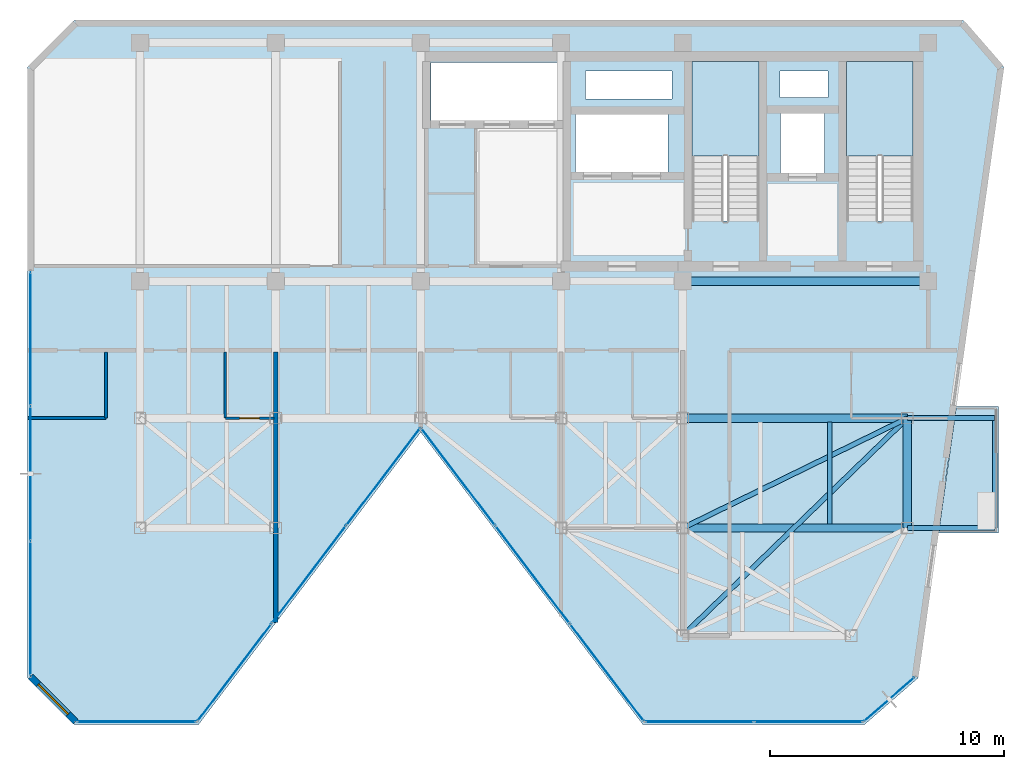
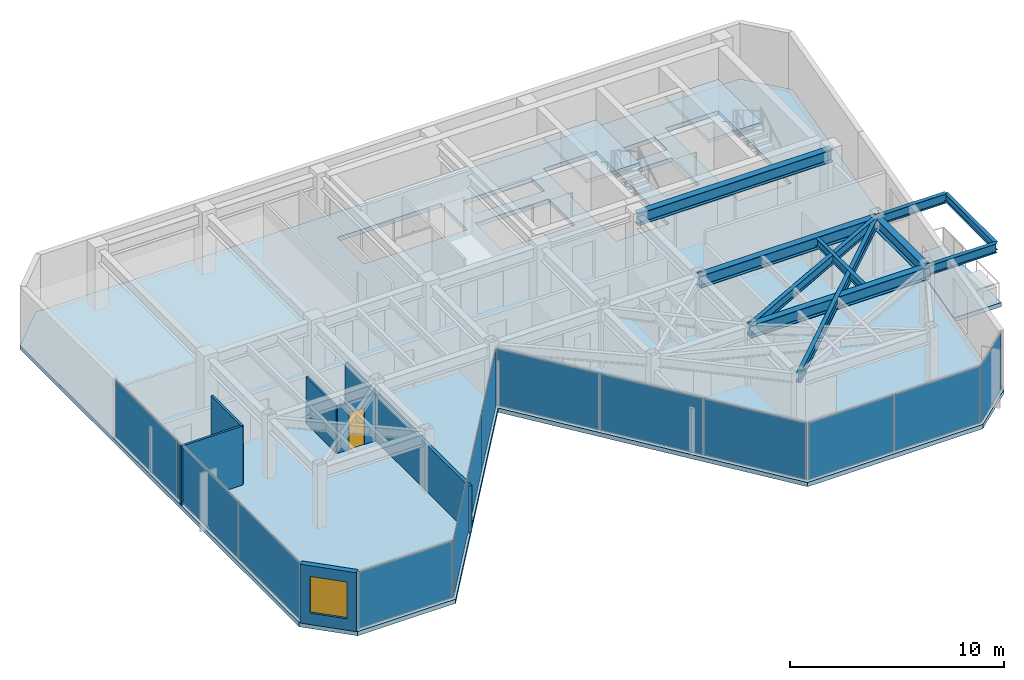
# One storey, part 14 of 19: 13 plates, 10 beams, 6 walls, 4 slabs, 1 door, 1 window, 2 openings, 8 elements without a shape of their own.
"""IFC4 building model written with IfcOpenShell, lengths in metres."""

from ifc_helpers import new_model, si_unit, direction, frame, frame_2d, origin, origin_2d, place, context, subcontext, project, spatial, polyline, rectangle, i_section, outline, extrude, material, layer, layer_set, material_profile, profile_set, type_object, element, fill, aggregate, save


model = new_model("IFC4")

# Units and contexts
model_context = context("Model", 3, precision=1e-05, world=origin(), true_north=direction((0.0, 1.0)))
body_context = subcontext(model_context, "Body", "Model", "MODEL_VIEW")
ifc_project = project(units=[si_unit("LENGTHUNIT", "METRE"), si_unit("AREAUNIT", "SQUARE_METRE"), si_unit("VOLUMEUNIT", "CUBIC_METRE"), si_unit("PLANEANGLEUNIT", "RADIAN"), si_unit("MASSUNIT", "GRAM", prefix="KILO")], contexts=[model_context])

# Site, building, storey
site_placement = place(None, origin())
site = spatial("IfcSite", under=ifc_project, at=site_placement, CompositionType="ELEMENT")
building_placement = place(site_placement, origin())
building = spatial("IfcBuilding", under=site, at=building_placement, Name="Kravanh Interchange Tower", CompositionType="ELEMENT")
storey_placement = place(building_placement, frame((0.0, 0.0, 267.0)))
storey = spatial("IfcBuildingStorey", under=building, at=storey_placement, Name="L65", CompositionType="ELEMENT", Elevation=267.0)

# Beams
ifc_material_1 = material(Name="Structural Steel S355", Category="steel")
ifc_material_profile_1 = material_profile(ifc_material_1, i_section(OverallWidth=0.35498046875, OverallDepth=0.696044921875, WebThickness=0.015380859375, FlangeThickness=0.02490234375, FilletRadius=0.02392578125, at=origin_2d()), Name="W27X146")
ifc_profile_set_1 = profile_set([ifc_material_profile_1], Name="Structural Steel S355")
beam_type_1 = type_object("IfcBeamType", Name="Floor Beam W27X146 Structural Steel S355", PredefinedType="BEAM", material=ifc_profile_set_1)
beam_1_placement = place(storey_placement, frame((56.0, 31.5, 3.011962890625), z_axis=(1.0, 0.0, 0.0), x_axis=(0.0, 1.0, 0.0)))
element("IfcBeam", 1, at=beam_1_placement, inside=storey, type_object=beam_type_1, Name="L65 Primary Floor Girder 12", PredefinedType="BEAM", context=body_context, shape_type="SweptSolid", body=[
    extrude(i_section(OverallWidth=0.35498046875, OverallDepth=0.696044921875, WebThickness=0.015380859375, FlangeThickness=0.02490234375, FilletRadius=0.02392578125, at=origin_2d()), origin(), (0.0, 0.0, 1.0), 9.60009765625),
])
beam_2_placement = place(storey_placement, frame((65.60009765625, 31.5, 3.011962890625), z_axis=(0.0, -1.0, 0.0), x_axis=(1.0, 0.0, 0.0)))
element("IfcBeam", 2, at=beam_2_placement, inside=storey, type_object=beam_type_1, Name="L65 Primary Floor Girder 13", PredefinedType="BEAM", context=body_context, shape_type="SweptSolid", body=[
    extrude(i_section(OverallWidth=0.35498046875, OverallDepth=0.696044921875, WebThickness=0.015380859375, FlangeThickness=0.02490234375, FilletRadius=0.02392578125, at=origin_2d()), origin(), (0.0, 0.0, 1.0), 4.699951171875),
])
beam_3_placement = place(storey_placement, frame((56.0, 26.800048828125, 3.011962890625), z_axis=(1.0, 0.0, 0.0), x_axis=(0.0, 1.0, 0.0)))
element("IfcBeam", 3, at=beam_3_placement, inside=storey, type_object=beam_type_1, Name="L65 Primary Floor Girder 30", PredefinedType="BEAM", context=body_context, shape_type="SweptSolid", body=[
    extrude(i_section(OverallWidth=0.35498046875, OverallDepth=0.696044921875, WebThickness=0.015380859375, FlangeThickness=0.02490234375, FilletRadius=0.02392578125, at=origin_2d()), origin(), (0.0, 0.0, 1.0), 9.60009765625),
])
beam_4_placement = place(storey_placement, frame((66.5, 37.35009765625, 3.011962890625), z_axis=(-1.0, 0.0, 0.0), x_axis=(0.0, -1.0, 0.0)))
element("IfcBeam", 4, at=beam_4_placement, inside=storey, type_object=beam_type_1, Name="L65 Primary Floor Girder 38", PredefinedType="BEAM", context=body_context, shape_type="SweptSolid", body=[
    extrude(i_section(OverallWidth=0.35498046875, OverallDepth=0.696044921875, WebThickness=0.015380859375, FlangeThickness=0.02490234375, FilletRadius=0.02392578125, at=origin_2d()), origin(), (0.0, 0.0, 1.0), 10.5),
])
ifc_material_2 = material(Name="Structural Steel S355", Category="steel")
ifc_material_profile_2 = material_profile(ifc_material_2, i_section(OverallWidth=0.18994140625, OverallDepth=0.45703125, WebThickness=0.009033203125, FlangeThickness=0.014404296875, FilletRadius=0.01806640625, at=origin_2d()), Name="W18X50")
ifc_profile_set_2 = profile_set([ifc_material_profile_2], Name="Structural Steel S355")
beam_type_2 = type_object("IfcBeamType", Name="Floor Joist W18X50 Structural Steel S355", PredefinedType="JOIST", material=ifc_profile_set_2)
beam_5_placement = place(storey_placement, frame((62.2939453125, 26.972412109375, 3.131591796875), z_axis=(0.0, 1.0, 0.0), x_axis=(-1.0, 0.0, 0.0)))
element("IfcBeam", 5, at=beam_5_placement, inside=storey, type_object=beam_type_2, Name="L65 Secondary Floor Joist 8", PredefinedType="JOIST", context=body_context, shape_type="SweptSolid", body=[
    extrude(i_section(OverallWidth=0.18994140625, OverallDepth=0.45703125, WebThickness=0.009033203125, FlangeThickness=0.014404296875, FilletRadius=0.01806640625, at=origin_2d()), origin(), (0.0, 0.0, 1.0), 4.35498046875),
])
beam_6_placement = place(storey_placement, frame((69.330078125, 26.800048828125, 3.131591796875), z_axis=(0.0, 1.0, 0.0), x_axis=(-1.0, 0.0, 0.0)))
element("IfcBeam", 6, at=beam_6_placement, inside=storey, type_object=beam_type_2, Name="L65 Balcony Edge Tie Beam E", PredefinedType="JOIST", context=body_context, shape_type="SweptSolid", body=[
    extrude(i_section(OverallWidth=0.18994140625, OverallDepth=0.45703125, WebThickness=0.009033203125, FlangeThickness=0.014404296875, FilletRadius=0.01806640625, at=origin_2d()), origin(), (0.0, 0.0, 1.0), 4.699951171875),
])
ifc_material_3 = material(Name="Structural Steel S355", Category="steel")
ifc_material_profile_3 = material_profile(ifc_material_3, i_section(OverallWidth=0.2099609375, OverallDepth=0.537109375, WebThickness=0.010986328125, FlangeThickness=0.017333984375, FilletRadius=0.02001953125, at=origin_2d()), Name="W21X68")
ifc_profile_set_3 = profile_set([ifc_material_profile_3], Name="Structural Steel S355")
beam_type_3 = type_object("IfcBeamType", Name="Floor Spandrel W21X68 Structural Steel S355", PredefinedType="SPANDREL", material=ifc_profile_set_3)
beam_7_placement = place(storey_placement, frame((65.60009765625, 31.5, 3.091552734375), z_axis=(-0.898141688387, -0.439706160499, 0.0), x_axis=(0.439706160499, -0.898141688387, 0.0)))
element("IfcBeam", 7, at=beam_7_placement, inside=storey, type_object=beam_type_3, Name="L65 Perimeter Spandrel 15", PredefinedType="SPANDREL", context=body_context, shape_type="SweptSolid", body=[
    extrude(i_section(OverallWidth=0.2099609375, OverallDepth=0.537109375, WebThickness=0.010986328125, FlangeThickness=0.017333984375, FilletRadius=0.02001953125, at=origin_2d()), origin(), (0.0, 0.0, 1.0), 10.68896484375),
])
beam_8_placement = place(storey_placement, frame((65.60009765625, 31.5, 3.091552734375), z_axis=(-0.718241934329, -0.695793449072, 0.0), x_axis=(0.695793449072, -0.718241934329, 0.0)))
element("IfcBeam", 8, at=beam_8_placement, inside=storey, type_object=beam_type_3, Name="L65 Perimeter Spandrel 16", PredefinedType="SPANDREL", context=body_context, shape_type="SweptSolid", body=[
    extrude(i_section(OverallWidth=0.2099609375, OverallDepth=0.537109375, WebThickness=0.010986328125, FlangeThickness=0.017333984375, FilletRadius=0.02001953125, at=origin_2d()), origin(), (0.0, 0.0, 1.0), 13.3662109375),
])
for number, where, z_axis, x_axis, name in (
    (9, (65.60009765625, 26.800048828125, 3.091552734375), (1.0, 0.0, 0.0), (0.0, 1.0, 0.0), "L65 Balcony Cantilever Outrigger E1"),
    (10, (65.60009765625, 31.5, 3.091552734375), (1.0, 0.0, 0.0), (0.0, 1.0, 0.0), "L65 Balcony Cantilever Outrigger E2"),
):
    element("IfcBeam", number, at=place(storey_placement, frame(where, z_axis=z_axis, x_axis=x_axis)), inside=storey, type_object=beam_type_3, Name=name, PredefinedType="SPANDREL", context=body_context, shape_type="SweptSolid", body=[
        extrude(i_section(OverallWidth=0.2099609375, OverallDepth=0.537109375, WebThickness=0.010986328125, FlangeThickness=0.017333984375, FilletRadius=0.02001953125, at=origin_2d()), origin(), (0.0, 0.0, 1.0), 3.72998046875),
    ])

# Curtain wall, plates
ifc_material_4 = material(Name="Anodised Bronze Aluminium", Category="aluminium")
ifc_layer_1 = layer(ifc_material_4, 0.179931640625)
ifc_layer_set_1 = layer_set([ifc_layer_1], Name="Unitised Curtain Wall System CW-HTL Luxury Hotel")
curtain_wall_type = type_object("IfcCurtainWallType", Name="Unitised Curtain Wall System CW-HTL Luxury Hotel", PredefinedType="NOTDEFINED", material=ifc_layer_set_1)
curtain_wall_1_placement = place(storey_placement, origin())
curtain_wall_1 = element("IfcCurtainWall", 11, at=curtain_wall_1_placement, inside=storey, type_object=curtain_wall_type, Name="L65 Unitised Curtain Wall CW-L65-01", PredefinedType="NOTDEFINED")
ifc_material_5 = material(Name="Low-E Laminated Architectural Glass", Category="glass")
ifc_layer_2 = layer(ifc_material_5, 0.030029296875)
ifc_layer_set_2 = layer_set([ifc_layer_2], Name="Acoustic Laminated Glazing 30mm")
plate_type = type_object("IfcPlateType", Name="Acoustic Laminated Glazing 30mm", PredefinedType="CURTAIN_PANEL", material=ifc_layer_set_2)
plate_1_placement = place(storey_placement, frame((28.1201171875, 23.3564453125, 0.06005859375), z_axis=(0.0, 0.0, 1.0), x_axis=(0.0, 1.0, 0.0)))
plate_1 = element("IfcPlate", 12, at=plate_1_placement, type_object=plate_type, Name="CW-HTL panel 1.1", PredefinedType="CURTAIN_PANEL", context=body_context, shape_type="SweptSolid", body=[
    extrude(rectangle(XDim=5.693359375, YDim=0.030029296875, at=origin_2d()), origin(), (0.0, 0.0, 1.0), 3.239990234375),
])
plate_2_placement = place(storey_placement, frame((28.1201171875, 29.124755859375, 0.06005859375), z_axis=(0.0, 0.0, 1.0), x_axis=(0.0, 1.0, 0.0)))
plate_2 = element("IfcPlate", 13, at=plate_2_placement, type_object=plate_type, Name="CW-HTL panel 2.1", PredefinedType="CURTAIN_PANEL", context=body_context, shape_type="SweptSolid", body=[
    extrude(rectangle(XDim=5.723388671875, YDim=0.030029296875, at=origin_2d()), origin(), (0.0, 0.0, 1.0), 3.239990234375),
])
plate_3_placement = place(storey_placement, frame((28.1201171875, 34.893310546875, 0.06005859375), z_axis=(0.0, 0.0, 1.0), x_axis=(0.0, 1.0, 0.0)))
plate_3 = element("IfcPlate", 14, at=plate_3_placement, type_object=plate_type, Name="CW-HTL panel 3.1", PredefinedType="CURTAIN_PANEL", context=body_context, shape_type="SweptSolid", body=[
    extrude(rectangle(XDim=5.693359375, YDim=0.030029296875, at=origin_2d()), origin(), (0.0, 0.0, 1.0), 3.239990234375),
])
aggregate(curtain_wall_1, [plate_1, plate_2, plate_3])

# Curtain wall, plate
curtain_wall_2_placement = place(storey_placement, origin())
curtain_wall_2 = element("IfcCurtainWall", 15, at=curtain_wall_2_placement, inside=storey, type_object=curtain_wall_type, Name="L65 Unitised Curtain Wall CW-L65-02", PredefinedType="NOTDEFINED")
plate_4_placement = place(storey_placement, frame((64.830078125, 19.480712890625, 0.06005859375), z_axis=(0.0, 0.0, 1.0), x_axis=(-0.75473192521, -0.656033323139, 0.0)))
plate_4 = element("IfcPlate", 16, at=plate_4_placement, type_object=plate_type, Name="CW-HTL panel 1.1", PredefinedType="CURTAIN_PANEL", context=body_context, shape_type="SweptSolid", body=[
    extrude(rectangle(XDim=2.80908203125, YDim=0.030029296875, at=origin_2d()), origin(), (0.0, 0.0, 1.0), 3.239990234375),
])
aggregate(curtain_wall_2, [plate_4])

# Curtain wall, plates
curtain_wall_3_placement = place(storey_placement, origin())
curtain_wall_3 = element("IfcCurtainWall", 17, at=curtain_wall_3_placement, inside=storey, type_object=curtain_wall_type, Name="L65 Unitised Curtain Wall CW-L65-03", PredefinedType="NOTDEFINED")
plate_5_placement = place(storey_placement, frame((61.368408203125, 18.52001953125, 0.06005859375), z_axis=(0.0, 0.0, 1.0), x_axis=(-1.0, 0.0, 0.0)))
plate_5 = element("IfcPlate", 18, at=plate_5_placement, type_object=plate_type, Name="CW-HTL panel 1.1", PredefinedType="CURTAIN_PANEL", context=body_context, shape_type="SweptSolid", body=[
    extrude(rectangle(XDim=4.592529296875, YDim=0.030029296875, at=origin_2d()), origin(), (0.0, 0.0, 1.0), 3.239990234375),
])
plate_6_placement = place(storey_placement, frame((56.7158203125, 18.52001953125, 0.06005859375), z_axis=(0.0, 0.0, 1.0), x_axis=(-1.0, 0.0, 0.0)))
plate_6 = element("IfcPlate", 19, at=plate_6_placement, type_object=plate_type, Name="CW-HTL panel 2.1", PredefinedType="CURTAIN_PANEL", context=body_context, shape_type="SweptSolid", body=[
    extrude(rectangle(XDim=4.592529296875, YDim=0.030029296875, at=origin_2d()), origin(), (0.0, 0.0, 1.0), 3.239990234375),
])
aggregate(curtain_wall_3, [plate_5, plate_6])

curtain_wall_4_placement = place(storey_placement, origin())
curtain_wall_4 = element("IfcCurtainWall", 20, at=curtain_wall_4_placement, inside=storey, type_object=curtain_wall_type, Name="L65 Unitised Curtain Wall CW-L65-04", PredefinedType="NOTDEFINED")
plate_7_placement = place(storey_placement, frame((52.757080078125, 20.62841796875, 0.06005859375), z_axis=(0.0, 0.0, 1.0), x_axis=(-0.605082946564, 0.79616243806, 0.0)))
plate_7 = element("IfcPlate", 21, at=plate_7_placement, type_object=plate_type, Name="CW-HTL panel 1.1", PredefinedType="CURTAIN_PANEL", context=body_context, shape_type="SweptSolid", body=[
    extrude(rectangle(XDim=5.17626953125, YDim=0.030029296875, at=origin_2d()), origin(), (0.0, 0.0, 1.0), 3.239990234375),
])
plate_8_placement = place(storey_placement, frame((49.579833984375, 24.80908203125, 0.06005859375), z_axis=(0.0, 0.0, 1.0), x_axis=(-0.605082946564, 0.79616243806, 0.0)))
plate_8 = element("IfcPlate", 22, at=plate_8_placement, type_object=plate_type, Name="CW-HTL panel 2.1", PredefinedType="CURTAIN_PANEL", context=body_context, shape_type="SweptSolid", body=[
    extrude(rectangle(XDim=5.206298828125, YDim=0.030029296875, at=origin_2d()), origin(), (0.0, 0.0, 1.0), 3.239990234375),
])
plate_9_placement = place(storey_placement, frame((46.40234375, 28.989990234375, 0.06005859375), z_axis=(0.0, 0.0, 1.0), x_axis=(-0.605082946564, 0.79616243806, 0.0)))
plate_9 = element("IfcPlate", 23, at=plate_9_placement, type_object=plate_type, Name="CW-HTL panel 3.1", PredefinedType="CURTAIN_PANEL", context=body_context, shape_type="SweptSolid", body=[
    extrude(rectangle(XDim=5.17626953125, YDim=0.030029296875, at=origin_2d()), origin(), (0.0, 0.0, 1.0), 3.239990234375),
])
aggregate(curtain_wall_4, [plate_7, plate_8, plate_9])

curtain_wall_5_placement = place(storey_placement, origin())
curtain_wall_5 = element("IfcCurtainWall", 24, at=curtain_wall_5_placement, inside=storey, type_object=curtain_wall_type, Name="L65 Unitised Curtain Wall CW-L65-05", PredefinedType="NOTDEFINED")
plate_10_placement = place(storey_placement, frame((43.19775390625, 28.989990234375, 0.06005859375), z_axis=(0.0, 0.0, 1.0), x_axis=(-0.605082946564, -0.79616243806, 0.0)))
plate_10 = element("IfcPlate", 25, at=plate_10_placement, type_object=plate_type, Name="CW-HTL panel 1.1", PredefinedType="CURTAIN_PANEL", context=body_context, shape_type="SweptSolid", body=[
    extrude(rectangle(XDim=5.17626953125, YDim=0.030029296875, at=origin_2d()), origin(), (0.0, 0.0, 1.0), 3.239990234375),
])
plate_11_placement = place(storey_placement, frame((40.020263671875, 24.80908203125, 0.06005859375), z_axis=(0.0, 0.0, 1.0), x_axis=(-0.605082946564, -0.79616243806, 0.0)))
plate_11 = element("IfcPlate", 26, at=plate_11_placement, type_object=plate_type, Name="CW-HTL panel 2.1", PredefinedType="CURTAIN_PANEL", context=body_context, shape_type="SweptSolid", body=[
    extrude(rectangle(XDim=5.206298828125, YDim=0.030029296875, at=origin_2d()), origin(), (0.0, 0.0, 1.0), 3.239990234375),
])
plate_12_placement = place(storey_placement, frame((36.8427734375, 20.62841796875, 0.06005859375), z_axis=(0.0, 0.0, 1.0), x_axis=(-0.605082946564, -0.79616243806, 0.0)))
plate_12 = element("IfcPlate", 27, at=plate_12_placement, type_object=plate_type, Name="CW-HTL panel 3.1", PredefinedType="CURTAIN_PANEL", context=body_context, shape_type="SweptSolid", body=[
    extrude(rectangle(XDim=5.17626953125, YDim=0.030029296875, at=origin_2d()), origin(), (0.0, 0.0, 1.0), 3.239990234375),
])
aggregate(curtain_wall_5, [plate_10, plate_11, plate_12])

# Curtain wall, plate
curtain_wall_6_placement = place(storey_placement, origin())
curtain_wall_6 = element("IfcCurtainWall", 28, at=curtain_wall_6_placement, inside=storey, type_object=curtain_wall_type, Name="L65 Unitised Curtain Wall CW-L65-06", PredefinedType="NOTDEFINED")
plate_13_placement = place(storey_placement, frame((32.64501953125, 18.52001953125, 0.06005859375), z_axis=(0.0, 0.0, 1.0), x_axis=(-1.0, 0.0, 0.0)))
plate_13 = element("IfcPlate", 29, at=plate_13_placement, type_object=plate_type, Name="CW-HTL panel 1.1", PredefinedType="CURTAIN_PANEL", context=body_context, shape_type="SweptSolid", body=[
    extrude(rectangle(XDim=5.07080078125, YDim=0.030029296875, at=origin_2d()), origin(), (0.0, 0.0, 1.0), 3.239990234375),
])
aggregate(curtain_wall_6, [plate_13])

# Slab
ifc_material_6 = material(Name="Concrete C50/60", Category="concrete")
ifc_layer_3 = layer(ifc_material_6, 0.239990234375)
ifc_layer_set_3 = layer_set([ifc_layer_3], Name="Composite Floor Slab Concrete C50/60 240mm")
slab_type_1 = type_object("IfcSlabType", Name="Composite Floor Slab Concrete C50/60 240mm", PredefinedType="FLOOR", material=ifc_layer_set_3)
slab_1_placement = place(storey_placement, frame((0.0, 0.0, -0.239990234375)))
element("IfcSlab", 30, at=slab_1_placement, inside=storey, type_object=slab_type_1, Name="L65 Structural Floor Slab", PredefinedType="FLOOR", context=body_context, shape_type="SweptSolid", body=[
    extrude(outline(polyline([(28.0, 20.39990234375), (30.0, 18.39990234375), (35.300048828125, 18.39990234375), (44.800048828125, 30.89990234375), (54.300048828125, 18.39990234375), (63.769775390625, 18.39990234375), (66.048095703125, 20.380615234375), (69.7216796875, 46.51953125), (68.0, 48.5), (30.0, 48.5), (28.0, 46.5), (28.0, 20.39990234375)]), holes=[polyline([(65.85009765625, 39.925048828125), (65.85009765625, 46.75), (63.0, 46.75), (63.0, 39.925048828125), (65.85009765625, 39.925048828125)]), polyline([(59.25, 39.925048828125), (59.25, 46.75), (56.39990234375, 46.75), (56.39990234375, 39.925048828125), (59.25, 39.925048828125)]), polyline([(45.239990234375, 44.219970703125), (50.840087890625, 44.219970703125), (50.840087890625, 46.699951171875), (45.239990234375, 46.699951171875), (45.239990234375, 44.219970703125)]), polyline([(51.419921875, 42.02001953125), (55.3798828125, 42.02001953125), (55.3798828125, 44.47998046875), (51.419921875, 44.47998046875), (51.419921875, 42.02001953125)]), polyline([(60.179931640625, 41.97998046875), (62.06005859375, 41.97998046875), (62.06005859375, 44.52001953125), (60.179931640625, 44.52001953125), (60.179931640625, 41.97998046875)]), polyline([(60.14990234375, 45.199951171875), (62.199951171875, 45.199951171875), (62.199951171875, 46.35009765625), (60.14990234375, 46.35009765625), (60.14990234375, 45.199951171875)]), polyline([(51.85009765625, 45.14990234375), (55.550048828125, 45.14990234375), (55.550048828125, 46.35009765625), (51.85009765625, 46.35009765625), (51.85009765625, 45.14990234375)])]), origin(), (0.0, 0.0, 1.0), 0.239990234375),
])

# Stair, slab
ifc_material_7 = material(Name="Concrete C50/60", Category="concrete")
stair_type = type_object("IfcStairType", Name="Core Fire Exit Dogleg Stair Concrete C50/60", PredefinedType="HALF_TURN_STAIR", material=ifc_material_7)
stair_1_placement = place(storey_placement, origin())
stair_1 = element("IfcStair", 31, at=stair_1_placement, inside=storey, type_object=stair_type, Name="L65 Exit Stair ST1", PredefinedType="HALF_TURN_STAIR")
ifc_material_8 = material(Name="Concrete C50/60", Category="concrete")
ifc_layer_4 = layer(ifc_material_8, 0.199951171875)
ifc_layer_set_4 = layer_set([ifc_layer_4], Name="Concrete C50/60 Stair Half-Landing Slab 200mm")
slab_type_2 = type_object("IfcSlabType", Name="Concrete C50/60 Stair Half-Landing Slab 200mm", PredefinedType="LANDING", material=ifc_layer_set_4)
slab_2_placement = place(storey_placement, frame((0.0, 0.0, 1.60009765625)))
slab_2 = element("IfcSlab", 32, at=slab_2_placement, type_object=slab_type_2, Name="ST1 landing 1", PredefinedType="LANDING", context=body_context, shape_type="SweptSolid", body=[
    extrude(outline(polyline([(65.85009765625, 42.699951171875), (65.85009765625, 46.75), (63.0, 46.75), (63.0, 42.699951171875), (65.85009765625, 42.699951171875)])), origin(), (0.0, 0.0, 1.0), 0.199951171875),
])
aggregate(stair_1, [slab_2])

stair_2_placement = place(storey_placement, origin())
stair_2 = element("IfcStair", 33, at=stair_2_placement, inside=storey, type_object=stair_type, Name="L65 Exit Stair ST2", PredefinedType="HALF_TURN_STAIR")
slab_3_placement = place(storey_placement, frame((0.0, 0.0, 1.60009765625)))
slab_3 = element("IfcSlab", 34, at=slab_3_placement, type_object=slab_type_2, Name="ST2 landing 1", PredefinedType="LANDING", context=body_context, shape_type="SweptSolid", body=[
    extrude(outline(polyline([(59.25, 42.699951171875), (59.25, 46.75), (56.39990234375, 46.75), (56.39990234375, 42.699951171875), (59.25, 42.699951171875)])), origin(), (0.0, 0.0, 1.0), 0.199951171875),
])
aggregate(stair_2, [slab_3])

# Slab
ifc_material_9 = material(Name="Concrete C50/60", Category="concrete")
ifc_layer_5 = layer(ifc_material_9, 0.199951171875)
ifc_layer_set_5 = layer_set([ifc_layer_5], Name="Planted Tree Balcony Slab Concrete C50/60 200mm")
slab_type_3 = type_object("IfcSlabType", Name="Planted Tree Balcony Slab Concrete C50/60 200mm", PredefinedType="USERDEFINED", material=ifc_layer_set_5)
slab_4_placement = place(storey_placement, frame((0.0, 0.0, -0.239990234375)))
element("IfcSlab", 35, at=slab_4_placement, inside=storey, type_object=slab_type_3, Name="L65 East Tree Planter Balcony Slab", ObjectType="BALCONY", PredefinedType="USERDEFINED", context=body_context, shape_type="SweptSolid", body=[
    extrude(outline(polyline([(69.489990234375, 31.989990234375), (69.489990234375, 26.590087890625), (66.935791015625, 26.590087890625), (67.69482421875, 31.989990234375), (69.489990234375, 31.989990234375)])), origin(), (0.0, 0.0, 1.0), 0.239990234375),
])

# Walls
ifc_material_10 = material(Name="Double Acoustic Gypsum Board and Mineral Wool")
ifc_layer_6 = layer(ifc_material_10, 0.1201171875)
ifc_layer_set_6 = layer_set([ifc_layer_6], Name="Acoustic Office Drywall Partition 120mm")
wall_type_1 = type_object("IfcWallType", Name="Acoustic Office Drywall Partition 120mm", PredefinedType="PARTITIONING", material=ifc_layer_set_6)
wall_1_placement = place(storey_placement, frame((31.340087890625, 31.5, 0.0), z_axis=(0.0, 0.0, 1.0), x_axis=(0.0, 1.0, 0.0)))
element("IfcWall", 36, at=wall_1_placement, inside=storey, type_object=wall_type_1, Name="L65 Interior Partition 15", PredefinedType="PARTITIONING", context=body_context, shape_type="SweptSolid", body=[
    extrude(rectangle(XDim=2.83203125, YDim=0.1201171875, at=frame_2d((1.416015625, 0.0))), origin(), (0.0, 0.0, 1.0), 3.360107421875),
])
wall_2_placement = place(storey_placement, frame((28.014892578125, 31.5, 0.0), z_axis=(0.0, 0.0, 1.0), x_axis=(1.0, 0.0, 0.0)))
element("IfcWall", 37, at=wall_2_placement, inside=storey, type_object=wall_type_1, Name="L65 Interior Partition 16", PredefinedType="PARTITIONING", context=body_context, shape_type="SweptSolid", body=[
    extrude(rectangle(XDim=3.3251953125, YDim=0.1201171875, at=frame_2d((1.66259765625, 0.0))), origin(), (0.0, 0.0, 1.0), 3.360107421875),
])
ifc_material_11 = material(Name="Moisture-Resistant Gypsum Board and Mineral Wool")
ifc_layer_7 = layer(ifc_material_11, 0.10009765625)
ifc_layer_set_7 = layer_set([ifc_layer_7], Name="En-Suite Moisture-Resistant Partition 100mm")
wall_type_2 = type_object("IfcWallType", Name="En-Suite Moisture-Resistant Partition 100mm", PredefinedType="PARTITIONING", material=ifc_layer_set_7)
wall_3_placement = place(storey_placement, frame((36.449951171875, 31.5, 0.0), z_axis=(0.0, 0.0, 1.0), x_axis=(0.0, 1.0, 0.0)))
element("IfcWall", 38, at=wall_3_placement, inside=storey, type_object=wall_type_2, Name="L65 Interior Partition 19", PredefinedType="PARTITIONING", context=body_context, shape_type="SweptSolid", body=[
    extrude(rectangle(XDim=2.83203125, YDim=0.10009765625, at=frame_2d((1.416015625, 0.0))), origin(), (0.0, 0.0, 1.0), 2.6640625),
])

# Wall, opening, door
wall_4_placement = place(storey_placement, frame((36.449951171875, 31.5, 0.0), z_axis=(0.0, 0.0, 1.0), x_axis=(1.0, 0.0, 0.0)))
wall_4 = element("IfcWall", 39, at=wall_4_placement, inside=storey, type_object=wall_type_2, Name="L65 Interior Partition 20", PredefinedType="PARTITIONING", context=body_context, shape_type="SweptSolid", body=[
    extrude(rectangle(XDim=2.08203125, YDim=0.10009765625, at=frame_2d((1.041015625, 0.0))), origin(), (0.0, 0.0, 1.0), 2.6640625),
])
opening_1_placement = place(wall_4_placement, frame((0.607421875, 0.0, 0.0)))
opening_1 = element("IfcOpeningElement", 40, at=opening_1_placement, cuts=wall_4, Name="Opening D-85", PredefinedType="OPENING", context=body_context, shape_type="SweptSolid", body=[
    extrude(rectangle(XDim=0.85009765625, YDim=2.10009765625, at=frame_2d((0.425048828125, 1.050048828125))), frame((0.0, 0.06005859375, 0.0), z_axis=(0.0, -1.0, 0.0), x_axis=(1.0, 0.0, 0.0)), (0.0, 0.0, 1.0), 0.1201171875),
])
ifc_material_12 = material(Name="Engineered Teak Veneer Timber", Category="wood")
door_type = type_object("IfcDoorType", Name="En-Suite Timber Door 850x2100", OperationType="NOTDEFINED", PredefinedType="DOOR", material=ifc_material_12)
door_placement = place(opening_1_placement, origin())
door = element("IfcDoor", 41, at=door_placement, inside=storey, type_object=door_type, Name="L65 En-suite Bathroom Door", OperationType="SINGLE_SWING_LEFT", OverallHeight=2.10009765625, OverallWidth=0.85009765625, PredefinedType="DOOR", context=body_context, shape_type="SweptSolid", body=[
    extrude(rectangle(XDim=0.85009765625, YDim=2.10009765625, at=frame_2d((0.425048828125, 1.050048828125))), frame((0.0, 0.02490234375, 0.0), z_axis=(0.0, -1.0, 0.0), x_axis=(1.0, 0.0, 0.0)), (0.0, 0.0, 1.0), 0.050048828125),
])
fill(opening_1, door)

# Wall, opening, window
ifc_material_13 = material(Name="Insulated Precast Concrete C40/50 with Bronze Cladding", Category="concrete")
ifc_layer_8 = layer(ifc_material_13, 0.280029296875)
ifc_layer_set_8 = layer_set([ifc_layer_8], Name="Exterior Insulated Concrete C40/50 Bronze Spandrel Wall 280mm")
wall_type_3 = type_object("IfcWallType", Name="Exterior Insulated Concrete C40/50 Bronze Spandrel Wall 280mm", PredefinedType="STANDARD", material=ifc_layer_set_8)
wall_5_placement = place(storey_placement, frame((30.0498046875, 18.52001953125, 0.0), z_axis=(0.0, 0.0, 1.0), x_axis=(-0.707106781187, 0.707106781187, 0.0)))
wall_5 = element("IfcWall", 42, at=wall_5_placement, inside=storey, type_object=wall_type_3, Name="L65 Exterior Wall 7", PredefinedType="STANDARD", context=body_context, shape_type="SweptSolid", body=[
    extrude(rectangle(XDim=2.72900390625, YDim=0.280029296875, at=frame_2d((1.364501953125, 0.0))), origin(), (0.0, 0.0, 1.0), 3.360107421875),
])
opening_2_placement = place(wall_5_placement, frame((0.455078125, 0.0, 0.64990234375)))
opening_2 = element("IfcOpeningElement", 43, at=opening_2_placement, cuts=wall_5, Name="Opening WN-180X210", PredefinedType="OPENING", context=body_context, shape_type="SweptSolid", body=[
    extrude(rectangle(XDim=1.800048828125, YDim=2.10009765625, at=frame_2d((0.89990234375, 1.050048828125))), frame((0.0, 0.14990234375, 0.0), z_axis=(0.0, -1.0, 0.0), x_axis=(1.0, 0.0, 0.0)), (0.0, 0.0, 1.0), 0.300048828125),
])
ifc_material_14 = material(Name="Thermally Broken Bronze Aluminium and Low-E Glass", Category="aluminium")
window_type = type_object("IfcWindowType", Name="Tower Pier Window 1800x2100", PartitioningType="SINGLE_PANEL", PredefinedType="WINDOW", material=ifc_material_14)
window_placement = place(opening_2_placement, origin())
window = element("IfcWindow", 44, at=window_placement, inside=storey, type_object=window_type, Name="L65 Corner Window 7", OverallHeight=2.10009765625, OverallWidth=1.800048828125, PartitioningType="SINGLE_PANEL", PredefinedType="WINDOW", context=body_context, shape_type="SweptSolid", body=[
    extrude(rectangle(XDim=1.800048828125, YDim=2.10009765625, at=frame_2d((0.89990234375, 1.050048828125))), frame((0.0, 0.030029296875, 0.0), z_axis=(0.0, -1.0, 0.0), x_axis=(1.0, 0.0, 0.0)), (0.0, 0.0, 1.0), 0.06005859375),
])
fill(opening_2, window)

# Wall
ifc_material_15 = material(Name="Autoclaved Aerated Concrete C30/37 Blockwork", Category="masonry")
ifc_layer_9 = layer(ifc_material_15, 0.179931640625)
ifc_layer_set_9 = layer_set([ifc_layer_9], Name="Fire-Rated Lobby and Corridor Wall Concrete C30/37 180mm")
wall_type_4 = type_object("IfcWallType", Name="Fire-Rated Lobby and Corridor Wall Concrete C30/37 180mm", PredefinedType="STANDARD", material=ifc_layer_set_9)
wall_6_placement = place(storey_placement, frame((38.60009765625, 22.766845703125, 0.0), z_axis=(0.0, 0.0, 1.0), x_axis=(0.0, 1.0, 0.0)))
element("IfcWall", 45, at=wall_6_placement, inside=storey, type_object=wall_type_4, Name="L65 Interior Partition 21", PredefinedType="STANDARD", context=body_context, shape_type="SweptSolid", body=[
    extrude(rectangle(XDim=11.565185546875, YDim=0.179931640625, at=frame_2d((5.78271484375, 0.0))), origin(), (0.0, 0.0, 1.0), 2.6640625),
])

save(model, "model.ifc")
